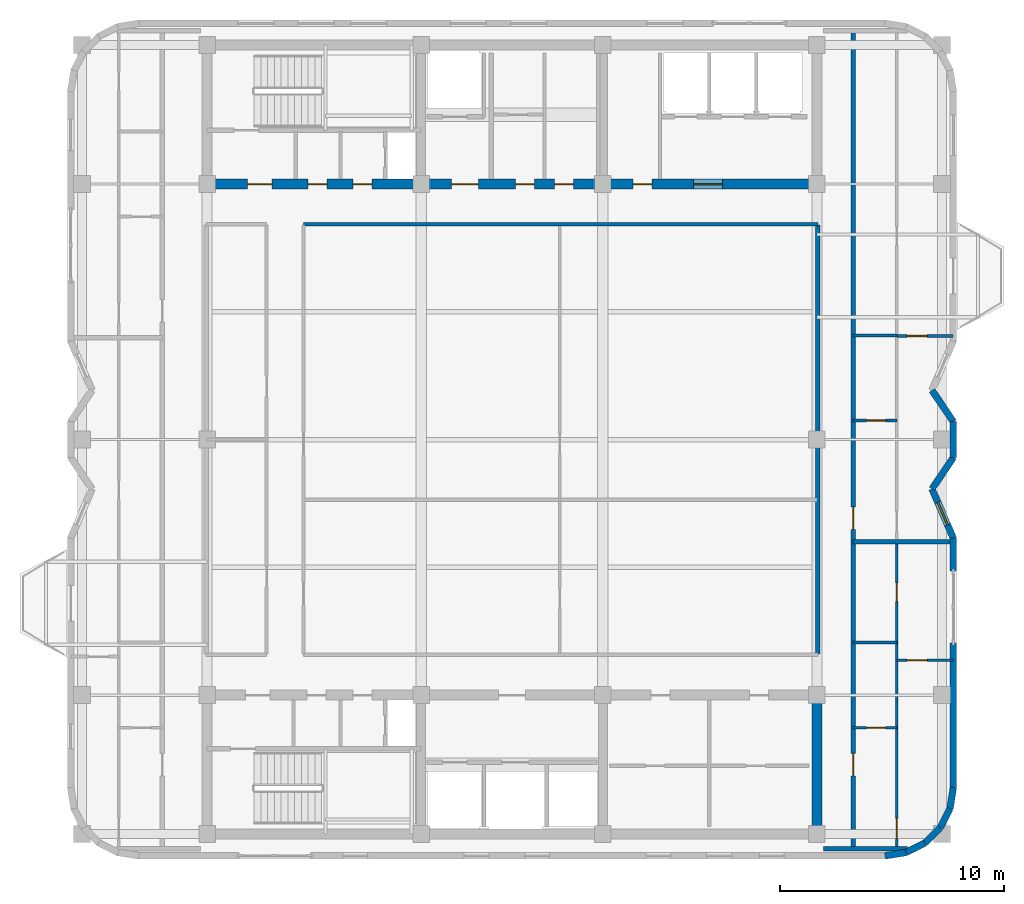
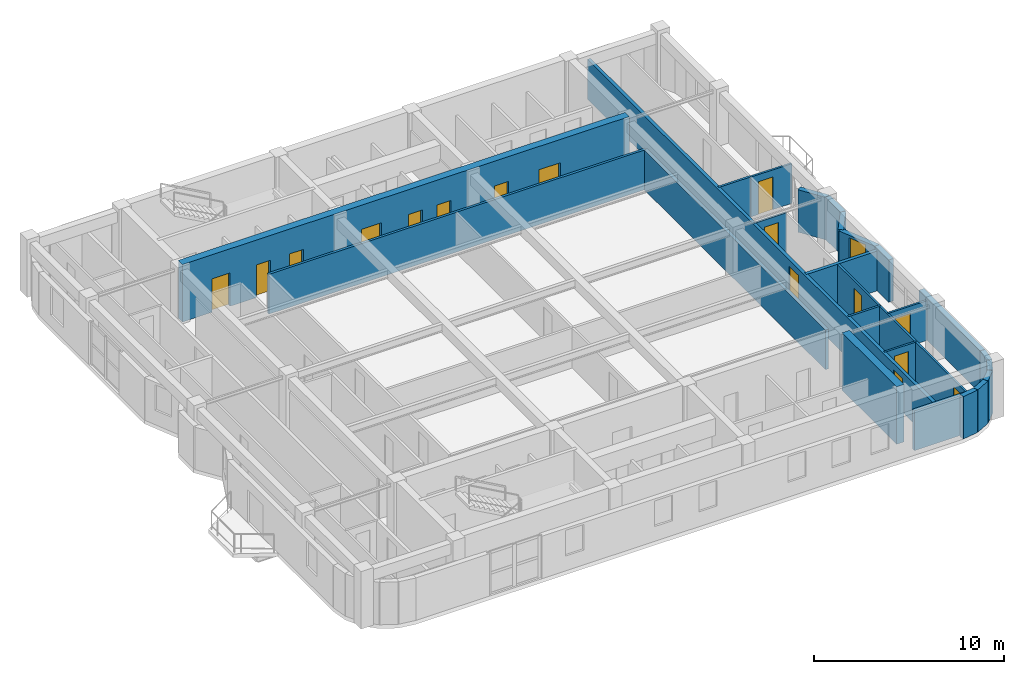
# One storey, part 7 of 11: 25 walls, 16 doors, 1 window, 17 openings.
"""IFC4 building model written with IfcOpenShell, lengths in metres."""

from ifc_helpers import new_model, si_unit, direction, frame, frame_2d, origin, place, context, subcontext, project, spatial, rectangle, extrude, material, layer, layer_set, type_object, element, fill, save


model = new_model("IFC4")

# Units and contexts
model_context = context("Model", 3, precision=1e-05, world=origin(), true_north=direction((0.0, 1.0)))
body_context = subcontext(model_context, "Body", "Model", "MODEL_VIEW")
ifc_project = project(units=[si_unit("LENGTHUNIT", "METRE"), si_unit("AREAUNIT", "SQUARE_METRE"), si_unit("VOLUMEUNIT", "CUBIC_METRE"), si_unit("PLANEANGLEUNIT", "RADIAN"), si_unit("MASSUNIT", "GRAM", prefix="KILO")], contexts=[model_context])

# Site, building, storey
site_placement = place(None, origin())
site = spatial("IfcSite", under=ifc_project, at=site_placement, CompositionType="ELEMENT")
building_placement = place(site_placement, origin())
building = spatial("IfcBuilding", under=site, at=building_placement, Name="Svetorya Sky Lyceum", CompositionType="ELEMENT")
storey_placement = place(building_placement, frame((0.0, 0.0, 289.800048828125)))
storey = spatial("IfcBuildingStorey", under=building, at=storey_placement, Name="L73", CompositionType="ELEMENT", Elevation=289.800048828125)

# Wall
ifc_material_1 = material(Name="Concrete C50/60", Category="concrete")
ifc_layer_1 = layer(ifc_material_1, 0.449951171875)
ifc_layer_set_1 = layer_set([ifc_layer_1], Name="Concrete C50/60")
wall_type_1 = type_object("IfcWallType", Name="WL-CORE-450", PredefinedType="SHEAR", material=ifc_layer_set_1)
wall_1_placement = place(storey_placement, frame((52.800048828125, 10.824951171875, 0.0), z_axis=(0.0, 0.0, 1.0), x_axis=(0.0, 1.0, 0.0)))
element("IfcWall", 1, at=wall_1_placement, inside=storey, type_object=wall_type_1, Name="L73 SC East Core Shear Wall", PredefinedType="SHEAR", context=body_context, shape_type="SweptSolid", body=[
    extrude(rectangle(XDim=5.75, YDim=0.449951171875, at=frame_2d((2.875, 0.0))), origin(), (0.0, 0.0, 1.0), 3.699951171875),
])

# Wall, openings, doors
wall_2_placement = place(storey_placement, frame((52.800048828125, 39.60009765625, 0.0), z_axis=(0.0, 0.0, 1.0), x_axis=(-1.0, 0.0, 0.0)))
wall_2 = element("IfcWall", 2, at=wall_2_placement, inside=storey, type_object=wall_type_1, Name="L73 NC Inner Core Shear Wall", PredefinedType="SHEAR", context=body_context, shape_type="SweptSolid", body=[
    extrude(rectangle(XDim=27.199951171875, YDim=0.449951171875, at=frame_2d((13.60009765625, 0.0))), origin(), (0.0, 0.0, 1.0), 3.699951171875),
])
opening_1_placement = place(wall_2_placement, frame((24.300048828125, 0.0, 0.0)))
opening_1 = element("IfcOpeningElement", 3, at=opening_1_placement, cuts=wall_2, Name="Opening D-ST1", PredefinedType="OPENING", context=body_context, shape_type="SweptSolid", body=[
    extrude(rectangle(XDim=1.10009765625, YDim=2.14990234375, at=frame_2d((0.550048828125, 1.074951171875))), frame((0.0, 0.23486328125, 0.0), z_axis=(0.0, -1.0, 0.0), x_axis=(1.0, 0.0, 0.0)), (0.0, 0.0, 1.0), 0.469970703125),
])
opening_2_placement = place(wall_2_placement, frame((21.85009765625, 0.0, 0.0)))
opening_2 = element("IfcOpeningElement", 4, at=opening_2_placement, cuts=wall_2, Name="Opening D-CWC1", PredefinedType="OPENING", context=body_context, shape_type="SweptSolid", body=[
    extrude(rectangle(XDim=0.85009765625, YDim=2.10009765625, at=frame_2d((0.425048828125, 1.050048828125))), frame((0.0, 0.23486328125, 0.0), z_axis=(0.0, -1.0, 0.0), x_axis=(1.0, 0.0, 0.0)), (0.0, 0.0, 1.0), 0.469970703125),
])
opening_3_placement = place(wall_2_placement, frame((19.85009765625, 0.0, 0.0)))
opening_3 = element("IfcOpeningElement", 5, at=opening_3_placement, cuts=wall_2, Name="Opening D-CWC1", PredefinedType="OPENING", context=body_context, shape_type="SweptSolid", body=[
    extrude(rectangle(XDim=0.85009765625, YDim=2.10009765625, at=frame_2d((0.425048828125, 1.050048828125))), frame((0.0, 0.23486328125, 0.0), z_axis=(0.0, -1.0, 0.0), x_axis=(1.0, 0.0, 0.0)), (0.0, 0.0, 1.0), 0.469970703125),
])
opening_4_placement = place(wall_2_placement, frame((15.10009765625, 0.0, 0.0)))
opening_4 = element("IfcOpeningElement", 6, at=opening_4_placement, cuts=wall_2, Name="Opening D-FL1", PredefinedType="OPENING", context=body_context, shape_type="SweptSolid", body=[
    extrude(rectangle(XDim=1.199951171875, YDim=2.14990234375, at=frame_2d((0.60009765625, 1.074951171875))), frame((0.0, 0.23486328125, 0.0), z_axis=(0.0, -1.0, 0.0), x_axis=(1.0, 0.0, 0.0)), (0.0, 0.0, 1.0), 0.469970703125),
])
opening_5_placement = place(wall_2_placement, frame((12.60009765625, 0.0, 0.0)))
opening_5 = element("IfcOpeningElement", 7, at=opening_5_placement, cuts=wall_2, Name="Opening D-CWC1", PredefinedType="OPENING", context=body_context, shape_type="SweptSolid", body=[
    extrude(rectangle(XDim=0.85009765625, YDim=2.10009765625, at=frame_2d((0.425048828125, 1.050048828125))), frame((0.0, 0.23486328125, 0.0), z_axis=(0.0, -1.0, 0.0), x_axis=(1.0, 0.0, 0.0)), (0.0, 0.0, 1.0), 0.469970703125),
])
opening_6_placement = place(wall_2_placement, frame((10.85009765625, 0.0, 0.0)))
opening_6 = element("IfcOpeningElement", 8, at=opening_6_placement, cuts=wall_2, Name="Opening D-CWC1", PredefinedType="OPENING", context=body_context, shape_type="SweptSolid", body=[
    extrude(rectangle(XDim=0.85009765625, YDim=2.10009765625, at=frame_2d((0.425048828125, 1.050048828125))), frame((0.0, 0.23486328125, 0.0), z_axis=(0.0, -1.0, 0.0), x_axis=(1.0, 0.0, 0.0)), (0.0, 0.0, 1.0), 0.469970703125),
])
opening_7_placement = place(wall_2_placement, frame((7.35009765625, 0.0, 0.0)))
opening_7 = element("IfcOpeningElement", 9, at=opening_7_placement, cuts=wall_2, Name="Opening D-CWC1", PredefinedType="OPENING", context=body_context, shape_type="SweptSolid", body=[
    extrude(rectangle(XDim=0.85009765625, YDim=2.10009765625, at=frame_2d((0.425048828125, 1.050048828125))), frame((0.0, 0.23486328125, 0.0), z_axis=(0.0, -1.0, 0.0), x_axis=(1.0, 0.0, 0.0)), (0.0, 0.0, 1.0), 0.469970703125),
])
opening_8_placement = place(wall_2_placement, frame((4.199951171875, 0.0, 0.0)))
opening_8 = element("IfcOpeningElement", 10, at=opening_8_placement, cuts=wall_2, Name="Opening D-LB1", PredefinedType="OPENING", context=body_context, shape_type="SweptSolid", body=[
    extrude(rectangle(XDim=1.300048828125, YDim=2.199951171875, at=frame_2d((0.64990234375, 1.10009765625))), frame((0.0, 0.23486328125, 0.0), z_axis=(0.0, -1.0, 0.0), x_axis=(1.0, 0.0, 0.0)), (0.0, 0.0, 1.0), 0.469970703125),
])
ifc_material_2 = material(Name="Fire-rated galvanized steel core service closet door", Category="steel")
door_type_1 = type_object("IfcDoorType", Name="DR-CWET-850", OperationType="SINGLE_SWING_LEFT", PredefinedType="DOOR", material=ifc_material_2)
door_1_placement = place(opening_2_placement, origin())
door_1 = element("IfcDoor", 11, at=door_1_placement, inside=storey, type_object=door_type_1, Name="L73 North Cleaner Door", OperationType="SINGLE_SWING_RIGHT", OverallHeight=2.10009765625, OverallWidth=0.85009765625, PredefinedType="DOOR", context=body_context, shape_type="SweptSolid", body=[
    extrude(rectangle(XDim=0.85009765625, YDim=2.10009765625, at=frame_2d((0.425048828125, 1.050048828125))), frame((0.0, 0.02490234375, 0.0), z_axis=(0.0, -1.0, 0.0), x_axis=(1.0, 0.0, 0.0)), (0.0, 0.0, 1.0), 0.050048828125),
])
fill(opening_2, door_1)
door_2_placement = place(opening_3_placement, origin())
door_2 = element("IfcDoor", 12, at=door_2_placement, inside=storey, type_object=door_type_1, Name="L73 North Meter Door", OperationType="SINGLE_SWING_LEFT", OverallHeight=2.10009765625, OverallWidth=0.85009765625, PredefinedType="DOOR", context=body_context, shape_type="SweptSolid", body=[
    extrude(rectangle(XDim=0.85009765625, YDim=2.10009765625, at=frame_2d((0.425048828125, 1.050048828125))), frame((0.0, 0.02490234375, 0.0), z_axis=(0.0, -1.0, 0.0), x_axis=(1.0, 0.0, 0.0)), (0.0, 0.0, 1.0), 0.050048828125),
])
fill(opening_3, door_2)
door_3_placement = place(opening_5_placement, origin())
door_3 = element("IfcDoor", 13, at=door_3_placement, inside=storey, type_object=door_type_1, Name="L73 Cleaner Vestibule Door", OperationType="SINGLE_SWING_LEFT", OverallHeight=2.10009765625, OverallWidth=0.85009765625, PredefinedType="DOOR", context=body_context, shape_type="SweptSolid", body=[
    extrude(rectangle(XDim=0.85009765625, YDim=2.10009765625, at=frame_2d((0.425048828125, 1.050048828125))), frame((0.0, 0.02490234375, 0.0), z_axis=(0.0, -1.0, 0.0), x_axis=(1.0, 0.0, 0.0)), (0.0, 0.0, 1.0), 0.050048828125),
])
fill(opening_5, door_3)
door_4_placement = place(opening_6_placement, origin())
door_4 = element("IfcDoor", 14, at=door_4_placement, inside=storey, type_object=door_type_1, Name="L73 Upper Pram Store Door", OperationType="SINGLE_SWING_RIGHT", OverallHeight=2.10009765625, OverallWidth=0.85009765625, PredefinedType="DOOR", context=body_context, shape_type="SweptSolid", body=[
    extrude(rectangle(XDim=0.85009765625, YDim=2.10009765625, at=frame_2d((0.425048828125, 1.050048828125))), frame((0.0, 0.02490234375, 0.0), z_axis=(0.0, -1.0, 0.0), x_axis=(1.0, 0.0, 0.0)), (0.0, 0.0, 1.0), 0.050048828125),
])
fill(opening_6, door_4)
door_5_placement = place(opening_7_placement, origin())
door_5 = element("IfcDoor", 15, at=door_5_placement, inside=storey, type_object=door_type_1, Name="L73 High-Zone Utility Room Door", OperationType="SINGLE_SWING_LEFT", OverallHeight=2.10009765625, OverallWidth=0.85009765625, PredefinedType="DOOR", context=body_context, shape_type="SweptSolid", body=[
    extrude(rectangle(XDim=0.85009765625, YDim=2.10009765625, at=frame_2d((0.425048828125, 1.050048828125))), frame((0.0, 0.02490234375, 0.0), z_axis=(0.0, -1.0, 0.0), x_axis=(1.0, 0.0, 0.0)), (0.0, 0.0, 1.0), 0.050048828125),
])
fill(opening_7, door_5)
ifc_material_3 = material(Name="Powder-coated insulated galvanized stair fire door")
door_type_2 = type_object("IfcDoorType", Name="DR-FIRE-1100", OperationType="SINGLE_SWING_LEFT", PredefinedType="DOOR", material=ifc_material_3)
door_6_placement = place(opening_1_placement, origin())
door_6 = element("IfcDoor", 16, at=door_6_placement, inside=storey, type_object=door_type_2, Name="L73 North Stair Airlock Door", OperationType="SINGLE_SWING_LEFT", OverallHeight=2.14990234375, OverallWidth=1.10009765625, PredefinedType="DOOR", context=body_context, shape_type="SweptSolid", body=[
    extrude(rectangle(XDim=1.10009765625, YDim=2.14990234375, at=frame_2d((0.550048828125, 1.074951171875))), frame((0.0, 0.02490234375, 0.0), z_axis=(0.0, -1.0, 0.0), x_axis=(1.0, 0.0, 0.0)), (0.0, 0.0, 1.0), 0.050048828125),
])
fill(opening_1, door_6)
ifc_material_4 = material(Name="Powder-coated insulated galvanized fire door")
door_type_3 = type_object("IfcDoorType", Name="DR-FIRE-1200", OperationType="SINGLE_SWING_LEFT", PredefinedType="DOOR", material=ifc_material_4)
door_7_placement = place(opening_4_placement, origin())
door_7 = element("IfcDoor", 17, at=door_7_placement, inside=storey, type_object=door_type_3, Name="L73 North Firefighting Lift Lobby Door", OperationType="SINGLE_SWING_RIGHT", OverallHeight=2.14990234375, OverallWidth=1.199951171875, PredefinedType="DOOR", context=body_context, shape_type="SweptSolid", body=[
    extrude(rectangle(XDim=1.199951171875, YDim=2.14990234375, at=frame_2d((0.60009765625, 1.074951171875))), frame((0.0, 0.02490234375, 0.0), z_axis=(0.0, -1.0, 0.0), x_axis=(1.0, 0.0, 0.0)), (0.0, 0.0, 1.0), 0.050048828125),
])
fill(opening_4, door_7)
ifc_material_5 = material(Name="Glazed fire-rated aluminium lobby door", Category="aluminium")
door_type_4 = type_object("IfcDoorType", Name="DR-LOB-1300", OperationType="SINGLE_SWING_LEFT", PredefinedType="DOOR", material=ifc_material_5)
door_8_placement = place(opening_8_placement, origin())
door_8 = element("IfcDoor", 18, at=door_8_placement, inside=storey, type_object=door_type_4, Name="L73 North Passenger Lift Lobby Door", OperationType="SINGLE_SWING_LEFT", OverallHeight=2.199951171875, OverallWidth=1.300048828125, PredefinedType="DOOR", context=body_context, shape_type="SweptSolid", body=[
    extrude(rectangle(XDim=1.300048828125, YDim=2.199951171875, at=frame_2d((0.64990234375, 1.10009765625))), frame((0.0, 0.02490234375, 0.0), z_axis=(0.0, -1.0, 0.0), x_axis=(1.0, 0.0, 0.0)), (0.0, 0.0, 1.0), 0.050048828125),
])
fill(opening_8, door_8)

# Walls
ifc_material_6 = material(Name="Putilovo limestone rainscreen on autoclaved cellular masonry", Category="masonry")
ifc_layer_2 = layer(ifc_material_6, 0.300048828125)
ifc_layer_set_2 = layer_set([ifc_layer_2], Name="Putilovo limestone rainscreen on autoclaved cellular masonry")
wall_type_2 = type_object("IfcWallType", Name="WL-EXT-300", PredefinedType="SOLIDWALL", material=ifc_layer_set_2)
wall_3_placement = place(storey_placement, frame((55.840087890625, 9.6298828125, 0.0), z_axis=(0.0, 0.0, 1.0), x_axis=(0.987663181641, 0.156593229835, 0.0)))
element("IfcWall", 19, at=wall_3_placement, inside=storey, type_object=wall_type_2, Name="L73 Limestone Exterior Wall 7M", PredefinedType="SOLIDWALL", context=body_context, shape_type="SweptSolid", body=[
    extrude(rectangle(XDim=0.9541015625, YDim=0.300048828125, at=frame_2d((0.47705078125, 0.0))), origin(), (0.0, 0.0, 1.0), 2.72998046875),
])
for number, where, z_axis, x_axis, name in (
    (20, (56.782470703125, 9.779296875, 0.0), (0.0, 0.0, 1.0), (0.891076589373, 0.453852962833, 0.0), "L73 Limestone Exterior Wall 8M"),
    (21, (57.6328125, 10.21240234375, 0.0), (0.0, 0.0, 1.0), (0.707106781187, 0.707106781187, 0.0), "L73 Limestone Exterior Wall 9M"),
    (22, (58.3076171875, 10.88720703125, 0.0), (0.0, 0.0, 1.0), (0.453852962833, 0.891076589373, 0.0), "L73 Limestone Exterior Wall 10M"),
):
    element("IfcWall", number, at=place(storey_placement, frame(where, z_axis=z_axis, x_axis=x_axis)), inside=storey, type_object=wall_type_2, Name=name, PredefinedType="SOLIDWALL", context=body_context, shape_type="SweptSolid", body=[
        extrude(rectangle(XDim=0.954345703125, YDim=0.300048828125, at=frame_2d((0.47705078125, 0.0))), origin(), (0.0, 0.0, 1.0), 2.72998046875),
    ])
wall_4_placement = place(storey_placement, frame((58.74072265625, 11.737548828125, 0.0), z_axis=(0.0, 0.0, 1.0), x_axis=(0.156343617883, 0.987702725088, 0.0)))
element("IfcWall", 23, at=wall_4_placement, inside=storey, type_object=wall_type_2, Name="L73 Limestone Exterior Wall 11M", PredefinedType="SOLIDWALL", context=body_context, shape_type="SweptSolid", body=[
    extrude(rectangle(XDim=0.9541015625, YDim=0.300048828125, at=frame_2d((0.47705078125, 0.0))), origin(), (0.0, 0.0, 1.0), 2.72998046875),
])
wall_5_placement = place(storey_placement, frame((58.889892578125, 12.679931640625, 0.0), z_axis=(0.0, 0.0, 1.0), x_axis=(0.0, 1.0, 0.0)))
element("IfcWall", 24, at=wall_5_placement, inside=storey, type_object=wall_type_2, Name="L73 Limestone Exterior Wall 12A", PredefinedType="SOLIDWALL", context=body_context, shape_type="SweptSolid", body=[
    extrude(rectangle(XDim=6.449951171875, YDim=0.300048828125, at=frame_2d((3.22509765625, 0.0))), origin(), (0.0, 0.0, 1.0), 2.72998046875),
])
wall_6_placement = place(storey_placement, frame((58.889892578125, 22.330078125, 0.0), z_axis=(0.0, 0.0, 1.0), x_axis=(0.0, 1.0, 0.0)))
element("IfcWall", 25, at=wall_6_placement, inside=storey, type_object=wall_type_2, Name="L73 Limestone Exterior Wall 12B", PredefinedType="SOLIDWALL", context=body_context, shape_type="SweptSolid", body=[
    extrude(rectangle(XDim=1.469970703125, YDim=0.300048828125, at=frame_2d((0.73486328125, 0.0))), origin(), (0.0, 0.0, 1.0), 2.72998046875),
])

# Wall, opening, window
wall_7_placement = place(storey_placement, frame((58.889892578125, 23.800048828125, 0.0), z_axis=(0.0, 0.0, 1.0), x_axis=(-0.396426258231, 0.918066567186, 0.0)))
wall_7 = element("IfcWall", 26, at=wall_7_placement, inside=storey, type_object=wall_type_2, Name="L73 Limestone Exterior Wall 13M", PredefinedType="SOLIDWALL", context=body_context, shape_type="SweptSolid", body=[
    extrude(rectangle(XDim=2.396240234375, YDim=0.300048828125, at=frame_2d((1.1982421875, 0.0))), origin(), (0.0, 0.0, 1.0), 2.72998046875),
])
opening_9_placement = place(wall_7_placement, frame((0.648193359375, 0.0, 0.919921875)))
opening_9 = element("IfcOpeningElement", 27, at=opening_9_placement, cuts=wall_7, Name="Opening W-R3", PredefinedType="OPENING", context=body_context, shape_type="SweptSolid", body=[
    extrude(rectangle(XDim=1.10009765625, YDim=1.64990234375, at=frame_2d((0.550048828125, 0.824951171875))), frame((0.0, 0.159912109375, 0.0), z_axis=(0.0, -1.0, 0.0), x_axis=(1.0, 0.0, 0.0)), (0.0, 0.0, 1.0), 0.320068359375),
])
ifc_material_7 = material(Name="Thermally broken aluminium frame with triple low-E glazing", Category="aluminium")
window_type = type_object("IfcWindowType", Name="WN-RES-110", PartitioningType="SINGLE_PANEL", PredefinedType="WINDOW", material=ifc_material_7)
window_placement = place(opening_9_placement, origin())
window = element("IfcWindow", 28, at=window_placement, inside=storey, type_object=window_type, Name="L73 Facade Window W-R3.13M.1", OverallHeight=1.64990234375, OverallWidth=1.10009765625, PartitioningType="SINGLE_PANEL", PredefinedType="WINDOW", context=body_context, shape_type="SweptSolid", body=[
    extrude(rectangle(XDim=1.10009765625, YDim=1.64990234375, at=frame_2d((0.550048828125, 0.824951171875))), frame((0.0, 0.030029296875, 0.0), z_axis=(0.0, -1.0, 0.0), x_axis=(1.0, 0.0, 0.0)), (0.0, 0.0, 1.0), 0.06005859375),
])
fill(opening_9, window)

# Walls
wall_8_placement = place(storey_placement, frame((57.93994140625, 26.0, 0.0), z_axis=(0.0, 0.0, 1.0), x_axis=(0.561508476251, 0.827470985049, 0.0)))
element("IfcWall", 29, at=wall_8_placement, inside=storey, type_object=wall_type_2, Name="L73 Limestone Exterior Wall 14M", PredefinedType="SOLIDWALL", context=body_context, shape_type="SweptSolid", body=[
    extrude(rectangle(XDim=1.69189453125, YDim=0.300048828125, at=frame_2d((0.845947265625, 0.0))), origin(), (0.0, 0.0, 1.0), 2.72998046875),
])
wall_9_placement = place(storey_placement, frame((58.889892578125, 27.39990234375, 0.0), z_axis=(0.0, 0.0, 1.0), x_axis=(0.0, 1.0, 0.0)))
element("IfcWall", 30, at=wall_9_placement, inside=storey, type_object=wall_type_2, Name="L73 Limestone Exterior Wall 15M", PredefinedType="SOLIDWALL", context=body_context, shape_type="SweptSolid", body=[
    extrude(rectangle(XDim=1.60009765625, YDim=0.300048828125, at=frame_2d((0.800048828125, 0.0))), origin(), (0.0, 0.0, 1.0), 2.72998046875),
])
wall_10_placement = place(storey_placement, frame((58.889892578125, 29.0, 0.0), z_axis=(0.0, 0.0, 1.0), x_axis=(-0.561508476251, 0.827470985049, 0.0)))
element("IfcWall", 31, at=wall_10_placement, inside=storey, type_object=wall_type_2, Name="L73 Limestone Exterior Wall 16M", PredefinedType="SOLIDWALL", context=body_context, shape_type="SweptSolid", body=[
    extrude(rectangle(XDim=1.69189453125, YDim=0.300048828125, at=frame_2d((0.845947265625, 0.0))), origin(), (0.0, 0.0, 1.0), 2.72998046875),
])

# Wall, opening, door
ifc_material_8 = material(Name="Twin-stud galvanized framing with double fireboard", Category="gypsum")
ifc_layer_3 = layer(ifc_material_8, 0.1201171875)
ifc_layer_set_3 = layer_set([ifc_layer_3], Name="Twin-stud galvanized framing with double fireboard")
wall_type_3 = type_object("IfcWallType", Name="WL-PART-120", PredefinedType="PARTITIONING", material=ifc_layer_set_3)
wall_11_placement = place(storey_placement, frame((54.419921875, 15.35009765625, 0.0), z_axis=(0.0, 0.0, 1.0), x_axis=(1.0, 0.0, 0.0)))
wall_11 = element("IfcWall", 32, at=wall_11_placement, inside=storey, type_object=wall_type_3, Name="L73 Interior Partition E1-WH1", PredefinedType="PARTITIONING", context=body_context, shape_type="SweptSolid", body=[
    extrude(rectangle(XDim=1.9501953125, YDim=0.1201171875, at=frame_2d((0.97509765625, 0.0))), origin(), (0.0, 0.0, 1.0), 2.56005859375),
])
opening_10_placement = place(wall_11_placement, frame((0.60009765625, 0.0, 0.0)))
opening_10 = element("IfcOpeningElement", 33, at=opening_10_placement, cuts=wall_11, Name="Opening D-BT1", PredefinedType="OPENING", context=body_context, shape_type="SweptSolid", body=[
    extrude(rectangle(XDim=0.85009765625, YDim=2.10009765625, at=frame_2d((0.425048828125, 1.050048828125))), frame((0.0, 0.070068359375, 0.0), z_axis=(0.0, -1.0, 0.0), x_axis=(1.0, 0.0, 0.0)), (0.0, 0.0, 1.0), 0.14013671875),
])
ifc_material_9 = material(Name="Moisture-resistant laminate bathroom door")
door_type_5 = type_object("IfcDoorType", Name="DR-WET-850", OperationType="SINGLE_SWING_LEFT", PredefinedType="DOOR", material=ifc_material_9)
door_9_placement = place(opening_10_placement, origin())
door_9 = element("IfcDoor", 34, at=door_9_placement, inside=storey, type_object=door_type_5, Name="Apartment E1 Bathroom Door", OperationType="SINGLE_SWING_RIGHT", OverallHeight=2.10009765625, OverallWidth=0.85009765625, PredefinedType="DOOR", context=body_context, shape_type="SweptSolid", body=[
    extrude(rectangle(XDim=0.85009765625, YDim=2.10009765625, at=frame_2d((0.425048828125, 1.050048828125))), frame((0.0, 0.02490234375, 0.0), z_axis=(0.0, -1.0, 0.0), x_axis=(1.0, 0.0, 0.0)), (0.0, 0.0, 1.0), 0.050048828125),
])
fill(opening_10, door_9)

wall_12_placement = place(storey_placement, frame((56.3701171875, 18.35009765625, 0.0), z_axis=(0.0, 0.0, 1.0), x_axis=(1.0, 0.0, 0.0)))
wall_12 = element("IfcWall", 35, at=wall_12_placement, inside=storey, type_object=wall_type_3, Name="L73 Interior Partition E1-WL1", PredefinedType="PARTITIONING", context=body_context, shape_type="SweptSolid", body=[
    extrude(rectangle(XDim=2.5, YDim=0.1201171875, at=frame_2d((1.25, 0.0))), origin(), (0.0, 0.0, 1.0), 2.56005859375),
])
opening_11_placement = place(wall_12_placement, frame((0.449951171875, 0.0, 0.0)))
opening_11 = element("IfcOpeningElement", 36, at=opening_11_placement, cuts=wall_12, Name="Opening D-RM1", PredefinedType="OPENING", context=body_context, shape_type="SweptSolid", body=[
    extrude(rectangle(XDim=0.89990234375, YDim=2.10009765625, at=frame_2d((0.449951171875, 1.050048828125))), frame((0.0, 0.070068359375, 0.0), z_axis=(0.0, -1.0, 0.0), x_axis=(1.0, 0.0, 0.0)), (0.0, 0.0, 1.0), 0.14013671875),
])
ifc_material_10 = material(Name="Lacquered birch veneer internal door")
door_type_6 = type_object("IfcDoorType", Name="DR-INT-900", OperationType="SINGLE_SWING_LEFT", PredefinedType="DOOR", material=ifc_material_10)
door_10_placement = place(opening_11_placement, origin())
door_10 = element("IfcDoor", 37, at=door_10_placement, inside=storey, type_object=door_type_6, Name="Apartment E1 Bedroom 1 Door", OperationType="SINGLE_SWING_RIGHT", OverallHeight=2.10009765625, OverallWidth=0.89990234375, PredefinedType="DOOR", context=body_context, shape_type="SweptSolid", body=[
    extrude(rectangle(XDim=0.89990234375, YDim=2.10009765625, at=frame_2d((0.449951171875, 1.050048828125))), frame((0.0, 0.02490234375, 0.0), z_axis=(0.0, -1.0, 0.0), x_axis=(1.0, 0.0, 0.0)), (0.0, 0.0, 1.0), 0.050048828125),
])
fill(opening_11, door_10)

# Wall, openings, doors
wall_13_placement = place(storey_placement, frame((56.3701171875, 9.989990234375, 0.0), z_axis=(0.0, 0.0, 1.0), x_axis=(0.0, 1.0, 0.0)))
wall_13 = element("IfcWall", 38, at=wall_13_placement, inside=storey, type_object=wall_type_3, Name="L73 Interior Partition E1-WV", PredefinedType="PARTITIONING", context=body_context, shape_type="SweptSolid", body=[
    extrude(rectangle(XDim=13.6201171875, YDim=0.1201171875, at=frame_2d((6.81005859375, 0.0))), origin(), (0.0, 0.0, 1.0), 2.56005859375),
])
opening_12_placement = place(wall_13_placement, frame((0.409912109375, 0.0, 0.0)))
opening_12 = element("IfcOpeningElement", 39, at=opening_12_placement, cuts=wall_13, Name="Opening D-RM1", PredefinedType="OPENING", context=body_context, shape_type="SweptSolid", body=[
    extrude(rectangle(XDim=0.89990234375, YDim=2.10009765625, at=frame_2d((0.449951171875, 1.050048828125))), frame((0.0, 0.070068359375, 0.0), z_axis=(0.0, -1.0, 0.0), x_axis=(1.0, 0.0, 0.0)), (0.0, 0.0, 1.0), 0.14013671875),
])
opening_13_placement = place(wall_13_placement, frame((10.985107421875, 0.0, 0.0)))
opening_13 = element("IfcOpeningElement", 40, at=opening_13_placement, cuts=wall_13, Name="Opening D-BT2", PredefinedType="OPENING", context=body_context, shape_type="SweptSolid", body=[
    extrude(rectangle(XDim=0.820068359375, YDim=2.080078125, at=frame_2d((0.41015625, 1.0400390625))), frame((0.0, 0.070068359375, 0.0), z_axis=(0.0, -1.0, 0.0), x_axis=(1.0, 0.0, 0.0)), (0.0, 0.0, 1.0), 0.14013671875),
])
door_11_placement = place(opening_12_placement, origin())
door_11 = element("IfcDoor", 41, at=door_11_placement, inside=storey, type_object=door_type_6, Name="Apartment E1 Living Door", OperationType="SINGLE_SWING_LEFT", OverallHeight=2.10009765625, OverallWidth=0.89990234375, PredefinedType="DOOR", context=body_context, shape_type="SweptSolid", body=[
    extrude(rectangle(XDim=0.89990234375, YDim=2.10009765625, at=frame_2d((0.449951171875, 1.050048828125))), frame((0.0, 0.02490234375, 0.0), z_axis=(0.0, -1.0, 0.0), x_axis=(1.0, 0.0, 0.0)), (0.0, 0.0, 1.0), 0.050048828125),
])
fill(opening_12, door_11)
ifc_material_11 = material(Name="Compact moisture-resistant laminate closet door")
door_type_7 = type_object("IfcDoorType", Name="DR-WET-820", OperationType="SINGLE_SWING_LEFT", PredefinedType="DOOR", material=ifc_material_11)
door_12_placement = place(opening_13_placement, origin())
door_12 = element("IfcDoor", 42, at=door_12_placement, inside=storey, type_object=door_type_7, Name="Apartment E1 Study Door", OperationType="SINGLE_SWING_RIGHT", OverallHeight=2.080078125, OverallWidth=0.820068359375, PredefinedType="DOOR", context=body_context, shape_type="SweptSolid", body=[
    extrude(rectangle(XDim=0.820068359375, YDim=2.080078125, at=frame_2d((0.41015625, 1.0400390625))), frame((0.0, 0.02490234375, 0.0), z_axis=(0.0, -1.0, 0.0), x_axis=(1.0, 0.0, 0.0)), (0.0, 0.0, 1.0), 0.050048828125),
])
fill(opening_13, door_12)

# Wall, opening, door
wall_14_placement = place(storey_placement, frame((54.419921875, 29.050048828125, 0.0), z_axis=(0.0, 0.0, 1.0), x_axis=(1.0, 0.0, 0.0)))
wall_14 = element("IfcWall", 43, at=wall_14_placement, inside=storey, type_object=wall_type_3, Name="L73 Interior Partition E2-WH1", PredefinedType="PARTITIONING", context=body_context, shape_type="SweptSolid", body=[
    extrude(rectangle(XDim=1.9501953125, YDim=0.1201171875, at=frame_2d((0.97509765625, 0.0))), origin(), (0.0, 0.0, 1.0), 2.56005859375),
])
opening_14_placement = place(wall_14_placement, frame((0.60009765625, 0.0, 0.0)))
opening_14 = element("IfcOpeningElement", 44, at=opening_14_placement, cuts=wall_14, Name="Opening D-BT1", PredefinedType="OPENING", context=body_context, shape_type="SweptSolid", body=[
    extrude(rectangle(XDim=0.85009765625, YDim=2.10009765625, at=frame_2d((0.425048828125, 1.050048828125))), frame((0.0, 0.070068359375, 0.0), z_axis=(0.0, -1.0, 0.0), x_axis=(1.0, 0.0, 0.0)), (0.0, 0.0, 1.0), 0.14013671875),
])
door_13_placement = place(opening_14_placement, origin())
door_13 = element("IfcDoor", 45, at=door_13_placement, inside=storey, type_object=door_type_5, Name="Apartment E2 Bathroom Door", OperationType="SINGLE_SWING_LEFT", OverallHeight=2.10009765625, OverallWidth=0.85009765625, PredefinedType="DOOR", context=body_context, shape_type="SweptSolid", body=[
    extrude(rectangle(XDim=0.85009765625, YDim=2.10009765625, at=frame_2d((0.425048828125, 1.050048828125))), frame((0.0, 0.02490234375, 0.0), z_axis=(0.0, -1.0, 0.0), x_axis=(1.0, 0.0, 0.0)), (0.0, 0.0, 1.0), 0.050048828125),
])
fill(opening_14, door_13)

wall_15_placement = place(storey_placement, frame((56.3701171875, 32.820068359375, 0.0), z_axis=(0.0, 0.0, 1.0), x_axis=(1.0, 0.0, 0.0)))
wall_15 = element("IfcWall", 46, at=wall_15_placement, inside=storey, type_object=wall_type_3, Name="L73 Interior Partition E2-WL1", PredefinedType="PARTITIONING", context=body_context, shape_type="SweptSolid", body=[
    extrude(rectangle(XDim=2.5, YDim=0.1201171875, at=frame_2d((1.25, 0.0))), origin(), (0.0, 0.0, 1.0), 2.56005859375),
])
opening_15_placement = place(wall_15_placement, frame((0.449951171875, 0.0, 0.0)))
opening_15 = element("IfcOpeningElement", 47, at=opening_15_placement, cuts=wall_15, Name="Opening D-RM1", PredefinedType="OPENING", context=body_context, shape_type="SweptSolid", body=[
    extrude(rectangle(XDim=0.89990234375, YDim=2.10009765625, at=frame_2d((0.449951171875, 1.050048828125))), frame((0.0, 0.070068359375, 0.0), z_axis=(0.0, -1.0, 0.0), x_axis=(1.0, 0.0, 0.0)), (0.0, 0.0, 1.0), 0.14013671875),
])
door_14_placement = place(opening_15_placement, origin())
door_14 = element("IfcDoor", 48, at=door_14_placement, inside=storey, type_object=door_type_6, Name="Apartment E2 Bedroom 1 Door", OperationType="SINGLE_SWING_LEFT", OverallHeight=2.10009765625, OverallWidth=0.89990234375, PredefinedType="DOOR", context=body_context, shape_type="SweptSolid", body=[
    extrude(rectangle(XDim=0.89990234375, YDim=2.10009765625, at=frame_2d((0.449951171875, 1.050048828125))), frame((0.0, 0.02490234375, 0.0), z_axis=(0.0, -1.0, 0.0), x_axis=(1.0, 0.0, 0.0)), (0.0, 0.0, 1.0), 0.050048828125),
])
fill(opening_15, door_14)

# Walls
ifc_material_12 = material(Name="Twin-stud galvanized framing with acoustic board", Category="gypsum")
ifc_layer_4 = layer(ifc_material_12, 0.135009765625)
ifc_layer_set_4 = layer_set([ifc_layer_4], Name="Twin-stud galvanized framing with acoustic board")
wall_type_4 = type_object("IfcWallType", Name="WL-PART-135", PredefinedType="PARTITIONING", material=ifc_layer_set_4)
for number, where, z_axis, x_axis, name in (
    (49, (54.419921875, 19.14990234375, 0.0), (0.0, 0.0, 1.0), (1.0, 0.0, 0.0), "L73 Interior Partition E1-WH2"),
    (50, (54.419921875, 32.85009765625, 0.0), (0.0, 0.0, 1.0), (1.0, 0.0, 0.0), "L73 Interior Partition E2-WH2"),
):
    element("IfcWall", number, at=place(storey_placement, frame(where, z_axis=z_axis, x_axis=x_axis)), inside=storey, type_object=wall_type_4, Name=name, PredefinedType="PARTITIONING", context=body_context, shape_type="SweptSolid", body=[
        extrude(rectangle(XDim=1.9501953125, YDim=0.135009765625, at=frame_2d((0.97509765625, 0.0))), origin(), (0.0, 0.0, 1.0), 2.56005859375),
    ])
ifc_material_13 = material(Name="Autoclaved cellular masonry blockwork with acoustic render", Category="masonry")
ifc_layer_5 = layer(ifc_material_13, 0.14990234375)
ifc_layer_set_5 = layer_set([ifc_layer_5], Name="Autoclaved cellular masonry blockwork with acoustic render")
wall_type_5 = type_object("IfcWallType", Name="WL-PART-150", PredefinedType="PARTITIONING", material=ifc_layer_set_5)
wall_16_placement = place(storey_placement, frame((29.89990234375, 37.800048828125, 0.0), z_axis=(0.0, 0.0, 1.0), x_axis=(1.0, 0.0, 0.0)))
element("IfcWall", 51, at=wall_16_placement, inside=storey, type_object=wall_type_5, Name="L73 Interior Partition OFF-CN-E", PredefinedType="PARTITIONING", context=body_context, shape_type="SweptSolid", body=[
    extrude(rectangle(XDim=22.9501953125, YDim=0.14990234375, at=frame_2d((11.47509765625, 0.0))), origin(), (0.0, 0.0, 1.0), 2.56005859375),
])
ifc_material_14 = material(Name="Autoclaved cellular masonry blockwork with gypsum plaster", Category="masonry")
ifc_layer_6 = layer(ifc_material_14, 0.199951171875)
ifc_layer_set_6 = layer_set([ifc_layer_6], Name="Autoclaved cellular masonry blockwork with gypsum plaster")
wall_type_6 = type_object("IfcWallType", Name="WL-PART-200", PredefinedType="PARTITIONING", material=ifc_layer_set_6)
wall_17_placement = place(storey_placement, frame((52.85009765625, 18.6298828125, 0.0), z_axis=(0.0, 0.0, 1.0), x_axis=(0.0, 1.0, 0.0)))
element("IfcWall", 52, at=wall_17_placement, inside=storey, type_object=wall_type_6, Name="L73 Interior Partition E-CEN-SEP", PredefinedType="PARTITIONING", context=body_context, shape_type="SweptSolid", body=[
    extrude(rectangle(XDim=19.14013671875, YDim=0.199951171875, at=frame_2d((9.570068359375, 0.0))), origin(), (0.0, 0.0, 1.0), 2.56005859375),
])
wall_18_placement = place(storey_placement, frame((54.419921875, 23.64990234375, 0.0), z_axis=(0.0, 0.0, 1.0), x_axis=(1.0, 0.0, 0.0)))
element("IfcWall", 53, at=wall_18_placement, inside=storey, type_object=wall_type_6, Name="L73 Interior Partition E-PARTY-1", PredefinedType="PARTITIONING", context=body_context, shape_type="SweptSolid", body=[
    extrude(rectangle(XDim=4.4501953125, YDim=0.199951171875, at=frame_2d((2.22509765625, 0.0))), origin(), (0.0, 0.0, 1.0), 2.56005859375),
])

# Wall, openings, doors
wall_19_placement = place(storey_placement, frame((54.419921875, 9.949951171875, 0.0), z_axis=(0.0, 0.0, 1.0), x_axis=(0.0, 1.0, 0.0)))
wall_19 = element("IfcWall", 54, at=wall_19_placement, inside=storey, type_object=wall_type_6, Name="L73 Interior Partition E-CORRW", PredefinedType="PARTITIONING", context=body_context, shape_type="SweptSolid", body=[
    extrude(rectangle(XDim=36.5, YDim=0.199951171875, at=frame_2d((18.25, 0.0))), origin(), (0.0, 0.0, 1.0), 2.56005859375),
])
opening_16_placement = place(wall_19_placement, frame((3.25, 0.0, 0.0)))
opening_16 = element("IfcOpeningElement", 55, at=opening_16_placement, cuts=wall_19, Name="Opening D-APT1", PredefinedType="OPENING", context=body_context, shape_type="SweptSolid", body=[
    extrude(rectangle(XDim=1.0, YDim=2.14990234375, at=frame_2d((0.5, 1.074951171875))), frame((0.0, 0.10986328125, 0.0), z_axis=(0.0, -1.0, 0.0), x_axis=(1.0, 0.0, 0.0)), (0.0, 0.0, 1.0), 0.219970703125),
])
opening_17_placement = place(wall_19_placement, frame((14.25, 0.0, 0.0)))
opening_17 = element("IfcOpeningElement", 56, at=opening_17_placement, cuts=wall_19, Name="Opening D-APT1", PredefinedType="OPENING", context=body_context, shape_type="SweptSolid", body=[
    extrude(rectangle(XDim=1.0, YDim=2.14990234375, at=frame_2d((0.5, 1.074951171875))), frame((0.0, 0.10986328125, 0.0), z_axis=(0.0, -1.0, 0.0), x_axis=(1.0, 0.0, 0.0)), (0.0, 0.0, 1.0), 0.219970703125),
])
ifc_material_15 = material(Name="Insulated oak-veneered apartment entrance door")
door_type_8 = type_object("IfcDoorType", Name="DR-APT-1000", OperationType="SINGLE_SWING_LEFT", PredefinedType="DOOR", material=ifc_material_15)
door_15_placement = place(opening_16_placement, origin())
door_15 = element("IfcDoor", 57, at=door_15_placement, inside=storey, type_object=door_type_8, Name="L73 Apartment E1 Entrance Door", OperationType="SINGLE_SWING_RIGHT", OverallHeight=2.14990234375, OverallWidth=1.0, PredefinedType="DOOR", context=body_context, shape_type="SweptSolid", body=[
    extrude(rectangle(XDim=1.0, YDim=2.14990234375, at=frame_2d((0.5, 1.074951171875))), frame((0.0, 0.02490234375, 0.0), z_axis=(0.0, -1.0, 0.0), x_axis=(1.0, 0.0, 0.0)), (0.0, 0.0, 1.0), 0.050048828125),
])
fill(opening_16, door_15)
door_16_placement = place(opening_17_placement, origin())
door_16 = element("IfcDoor", 58, at=door_16_placement, inside=storey, type_object=door_type_8, Name="L73 Apartment E2 Entrance Door", OperationType="SINGLE_SWING_LEFT", OverallHeight=2.14990234375, OverallWidth=1.0, PredefinedType="DOOR", context=body_context, shape_type="SweptSolid", body=[
    extrude(rectangle(XDim=1.0, YDim=2.14990234375, at=frame_2d((0.5, 1.074951171875))), frame((0.0, 0.02490234375, 0.0), z_axis=(0.0, -1.0, 0.0), x_axis=(1.0, 0.0, 0.0)), (0.0, 0.0, 1.0), 0.050048828125),
])
fill(opening_17, door_16)

# Wall
wall_20_placement = place(storey_placement, frame((53.10009765625, 9.949951171875, 0.0), z_axis=(0.0, 0.0, 1.0), x_axis=(1.0, 0.0, 0.0)))
element("IfcWall", 59, at=wall_20_placement, inside=storey, type_object=wall_type_6, Name="L73 Interior Partition E-CAP-S", PredefinedType="PARTITIONING", context=body_context, shape_type="SweptSolid", body=[
    extrude(rectangle(XDim=3.75390625, YDim=0.199951171875, at=frame_2d((1.876953125, 0.0))), origin(), (0.0, 0.0, 1.0), 2.56005859375),
])

save(model, "model.ifc")
